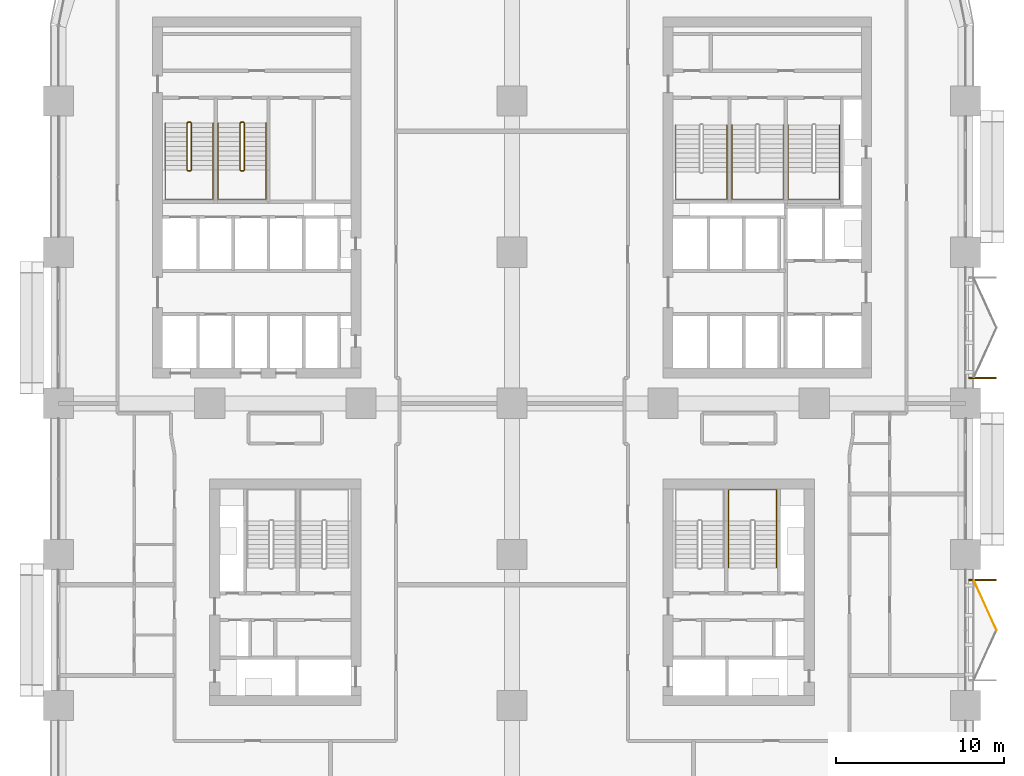
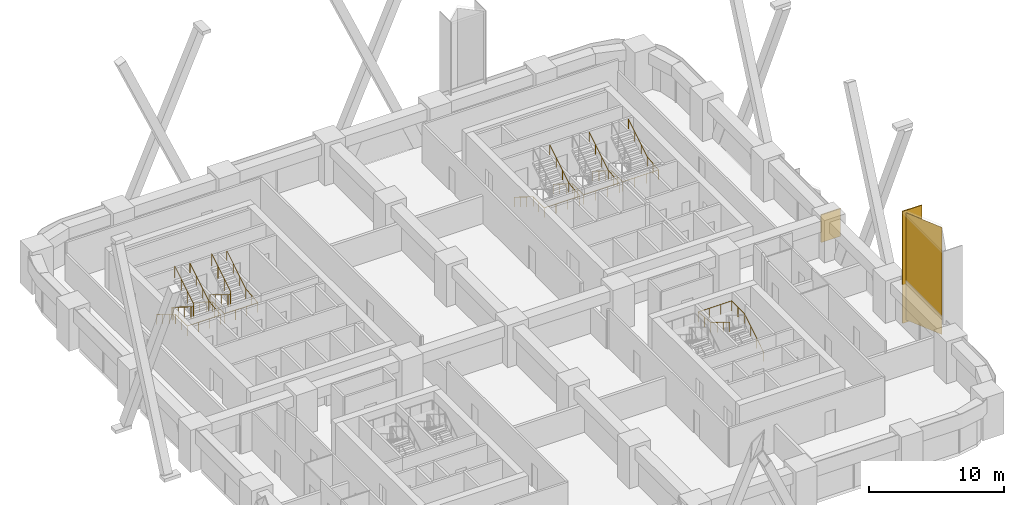
# One storey, part 23 of 24: 8 railings, 3 coverings.
"""IFC4 building model written with IfcOpenShell, lengths in metres."""

from ifc_helpers import new_model, si_unit, direction, frame, origin, origin_2d, place, context, subcontext, project, spatial, polyline, rectangle, circle, outline, extrude, material, layer, layer_set, type_object, element, save


model = new_model("IFC4")

# Units and contexts
model_context = context("Model", 3, precision=1e-05, world=origin(), true_north=direction((0.0, 1.0)))
body_context = subcontext(model_context, "Body", "Model", "MODEL_VIEW")
ifc_project = project(units=[si_unit("LENGTHUNIT", "METRE"), si_unit("AREAUNIT", "SQUARE_METRE"), si_unit("VOLUMEUNIT", "CUBIC_METRE"), si_unit("PLANEANGLEUNIT", "RADIAN"), si_unit("MASSUNIT", "GRAM", prefix="KILO")], contexts=[model_context])

# Site, building, storey
site_placement = place(None, origin())
site = spatial("IfcSite", under=ifc_project, at=site_placement, CompositionType="ELEMENT")
building_placement = place(site_placement, origin())
building = spatial("IfcBuilding", under=site, at=building_placement, Name="Tessera Arch", CompositionType="ELEMENT")
storey_placement = place(building_placement, frame((0.0, 0.0, 61.39990234375)))
storey = spatial("IfcBuildingStorey", under=building, at=storey_placement, Name="L13", CompositionType="ELEMENT", Elevation=61.39990234375)

# Railings
ifc_material_1 = material(Name="Painted steel balustrade", Category="steel")
railing_type_1 = type_object("IfcRailingType", Name="Stair guard 1100", PredefinedType="GUARDRAIL", material=ifc_material_1)
railing_1_placement = place(storey_placement, frame((7.699951171875, 43.75, 0.0)))
element("IfcRailing", 1, at=railing_1_placement, inside=storey, type_object=railing_type_1, Name="L13 S2a stair guard 1", PredefinedType="GUARDRAIL", context=body_context, shape_type="SweptSolid", body=[
    extrude(circle(Radius=0.02392578125, at=origin_2d()), frame((-0.00390625, 0.0, 1.076171875), z_axis=(1.0, 0.0, 0.0), x_axis=(0.0, 1.0, 0.0)), (0.0, 0.0, 1.0), 0.158203125),
    extrude(circle(Radius=0.02392578125, at=origin_2d()), frame((0.153076171875, 0.000732421875, 1.073486328125), z_axis=(-0.743708266585, -0.185927066646, 0.642128600905), x_axis=(0.242535625036, -0.970142500145, 0.0)), (0.0, 0.0, 1.0), 0.277099609375),
    extrude(circle(Radius=0.02392578125, at=origin_2d()), frame((-0.050048828125, -0.046630859375, 1.246826171875), z_axis=(0.0, -0.851089632645, 0.525020415988), x_axis=(1.0, 0.0, 0.0)), (0.0, 0.0, 1.0), 3.2978515625),
    extrude(circle(Radius=0.02392578125, at=origin_2d()), frame((-0.052978515625, -2.84716796875, 2.97607421875), z_axis=(0.708833529934, -0.705375805398, 0.0), x_axis=(0.705375805398, 0.708833529934, 0.0)), (0.0, 0.0, 1.0), 0.07861328125),
    extrude(circle(Radius=0.02392578125, at=origin_2d()), frame((-0.00390625, -2.89990234375, 2.97607421875), z_axis=(1.0, 0.0, 0.0), x_axis=(0.0, 1.0, 0.0)), (0.0, 0.0, 1.0), 0.158203125),
    extrude(circle(Radius=0.02392578125, at=origin_2d()), frame((0.149169921875, -2.90087890625, 2.972412109375), z_axis=(0.26715648603, 0.26715648603, 0.925880566782), x_axis=(-0.707106781187, 0.707106781187, 0.0)), (0.0, 0.0, 1.0), 0.1943359375),
    extrude(circle(Radius=0.02392578125, at=origin_2d()), frame((0.199951171875, -2.853515625, 3.146728515625), z_axis=(0.0, 0.851089632645, 0.525020415988), x_axis=(-1.0, 0.0, 0.0)), (0.0, 0.0, 1.0), 3.2978515625),
    extrude(circle(Radius=0.02099609375, at=origin_2d()), origin(), (0.0, 0.0, 1.0), 1.06396484375),
    extrude(circle(Radius=0.02099609375, at=origin_2d()), frame((0.150146484375, 0.0, 0.0)), (0.0, 0.0, 1.0), 1.06396484375),
    extrude(circle(Radius=0.02099609375, at=origin_2d()), frame((-0.050048828125, -0.050048828125, 0.1728515625)), (0.0, 0.0, 1.0), 1.06396484375),
    extrude(circle(Radius=0.02099609375, at=origin_2d()), frame((-0.050048828125, -0.9833984375, 0.74853515625)), (0.0, 0.0, 1.0), 1.06396484375),
    extrude(circle(Radius=0.02099609375, at=origin_2d()), frame((-0.050048828125, -1.916748046875, 1.324462890625)), (0.0, 0.0, 1.0), 1.06396484375),
    extrude(circle(Radius=0.02099609375, at=origin_2d()), frame((-0.050048828125, -2.85009765625, 1.900146484375)), (0.0, 0.0, 1.0), 1.06396484375),
    extrude(circle(Radius=0.02099609375, at=origin_2d()), frame((0.0, -2.89990234375, 1.900146484375)), (0.0, 0.0, 1.0), 1.06396484375),
    extrude(circle(Radius=0.02099609375, at=origin_2d()), frame((0.150146484375, -2.89990234375, 1.900146484375)), (0.0, 0.0, 1.0), 1.06396484375),
    extrude(circle(Radius=0.02099609375, at=origin_2d()), frame((0.199951171875, -2.85009765625, 2.07275390625)), (0.0, 0.0, 1.0), 1.06396484375),
    extrude(circle(Radius=0.02099609375, at=origin_2d()), frame((0.199951171875, -1.916748046875, 2.6484375)), (0.0, 0.0, 1.0), 1.06396484375),
    extrude(circle(Radius=0.02099609375, at=origin_2d()), frame((0.199951171875, -0.9833984375, 3.224365234375)), (0.0, 0.0, 1.0), 1.06396484375),
    extrude(circle(Radius=0.02099609375, at=origin_2d()), frame((0.199951171875, -0.050048828125, 3.800048828125)), (0.0, 0.0, 1.0), 1.06396484375),
])
railing_2_placement = place(storey_placement, frame((10.85009765625, 43.75, 0.0)))
element("IfcRailing", 2, at=railing_2_placement, inside=storey, type_object=railing_type_1, Name="L13 S2b stair guard 1", PredefinedType="GUARDRAIL", context=body_context, shape_type="SweptSolid", body=[
    extrude(circle(Radius=0.02392578125, at=origin_2d()), frame((-0.00390625, 0.0, 1.076171875), z_axis=(1.0, 0.0, 0.0), x_axis=(0.0, 1.0, 0.0)), (0.0, 0.0, 1.0), 0.157958984375),
    extrude(circle(Radius=0.02392578125, at=origin_2d()), frame((0.15283203125, 0.000732421875, 1.073486328125), z_axis=(-0.743302536996, -0.186052527575, 0.642561900114), x_axis=(0.242814311512, -0.970072785993, 0.0)), (0.0, 0.0, 1.0), 0.277099609375),
    extrude(circle(Radius=0.02392578125, at=origin_2d()), frame((-0.050048828125, -0.046630859375, 1.246826171875), z_axis=(0.0, -0.851089632645, 0.525020415988), x_axis=(1.0, 0.0, 0.0)), (0.0, 0.0, 1.0), 3.2978515625),
    extrude(circle(Radius=0.02392578125, at=origin_2d()), frame((-0.052978515625, -2.84716796875, 2.97607421875), z_axis=(0.708833529934, -0.705375805398, 0.0), x_axis=(0.705375805398, 0.708833529934, 0.0)), (0.0, 0.0, 1.0), 0.07861328125),
    extrude(circle(Radius=0.02392578125, at=origin_2d()), frame((-0.00390625, -2.89990234375, 2.97607421875), z_axis=(1.0, 0.0, 0.0), x_axis=(0.0, 1.0, 0.0)), (0.0, 0.0, 1.0), 0.157958984375),
    extrude(circle(Radius=0.02392578125, at=origin_2d()), frame((0.14892578125, -2.90087890625, 2.972412109375), z_axis=(0.268371968888, 0.267062837333, 0.925556009775), x_axis=(-0.705375805398, 0.708833529934, 0.0)), (0.0, 0.0, 1.0), 0.194580078125),
    extrude(circle(Radius=0.02392578125, at=origin_2d()), frame((0.199951171875, -2.853515625, 3.146728515625), z_axis=(0.0, 0.851089632645, 0.525020415988), x_axis=(-1.0, 0.0, 0.0)), (0.0, 0.0, 1.0), 3.2978515625),
    extrude(circle(Radius=0.02099609375, at=origin_2d()), origin(), (0.0, 0.0, 1.0), 1.06396484375),
    extrude(circle(Radius=0.02099609375, at=origin_2d()), frame((0.14990234375, 0.0, 0.0)), (0.0, 0.0, 1.0), 1.06396484375),
    extrude(circle(Radius=0.02099609375, at=origin_2d()), frame((-0.050048828125, -0.050048828125, 0.1728515625)), (0.0, 0.0, 1.0), 1.06396484375),
    extrude(circle(Radius=0.02099609375, at=origin_2d()), frame((-0.050048828125, -0.9833984375, 0.74853515625)), (0.0, 0.0, 1.0), 1.06396484375),
    extrude(circle(Radius=0.02099609375, at=origin_2d()), frame((-0.050048828125, -1.916748046875, 1.324462890625)), (0.0, 0.0, 1.0), 1.06396484375),
    extrude(circle(Radius=0.02099609375, at=origin_2d()), frame((-0.050048828125, -2.85009765625, 1.900146484375)), (0.0, 0.0, 1.0), 1.06396484375),
    extrude(circle(Radius=0.02099609375, at=origin_2d()), frame((0.0, -2.89990234375, 1.900146484375)), (0.0, 0.0, 1.0), 1.06396484375),
    extrude(circle(Radius=0.02099609375, at=origin_2d()), frame((0.14990234375, -2.89990234375, 1.900146484375)), (0.0, 0.0, 1.0), 1.06396484375),
    extrude(circle(Radius=0.02099609375, at=origin_2d()), frame((0.199951171875, -2.85009765625, 2.07275390625)), (0.0, 0.0, 1.0), 1.06396484375),
    extrude(circle(Radius=0.02099609375, at=origin_2d()), frame((0.199951171875, -1.916748046875, 2.6484375)), (0.0, 0.0, 1.0), 1.06396484375),
    extrude(circle(Radius=0.02099609375, at=origin_2d()), frame((0.199951171875, -0.9833984375, 3.224365234375)), (0.0, 0.0, 1.0), 1.06396484375),
    extrude(circle(Radius=0.02099609375, at=origin_2d()), frame((0.199951171875, -0.050048828125, 3.800048828125)), (0.0, 0.0, 1.0), 1.06396484375),
])
ifc_material_2 = material(Name="Painted steel handrail", Category="steel")
railing_type_2 = type_object("IfcRailingType", Name="Stair handrail 900", PredefinedType="HANDRAIL", material=ifc_material_2)
railing_3_placement = place(storey_placement, frame((36.75, 43.580078125, 0.1728515625)))
element("IfcRailing", 3, at=railing_3_placement, inside=storey, type_object=railing_type_2, Name="L13 S1a stair handrail", PredefinedType="HANDRAIL", context=body_context, shape_type="SweptSolid", body=[
    extrude(circle(Radius=0.02392578125, at=origin_2d()), frame((0.0, 0.00341796875, 0.873779296875), z_axis=(0.0, -0.851089632645, 0.525020415988), x_axis=(1.0, 0.0, 0.0)), (0.0, 0.0, 1.0), 3.2978515625),
    extrude(circle(Radius=0.02392578125, at=origin_2d()), frame((0.0, -2.796142578125, 2.60302734375), z_axis=(0.0, -1.0, 0.0), x_axis=(1.0, 0.0, 0.0)), (0.0, 0.0, 1.0), 1.63818359375),
    extrude(circle(Radius=0.02392578125, at=origin_2d()), frame((-0.00390625, -4.43017578125, 2.60302734375), z_axis=(1.0, 0.0, 0.0), x_axis=(0.0, 1.0, 0.0)), (0.0, 0.0, 1.0), 3.05810546875),
    extrude(circle(Radius=0.02392578125, at=origin_2d()), frame((3.050048828125, -4.43408203125, 2.602783203125), z_axis=(0.0, 0.994440793715, 0.105297235459), x_axis=(-1.0, 0.0, 0.0)), (0.0, 0.0, 1.0), 1.647216796875),
    extrude(circle(Radius=0.02392578125, at=origin_2d()), frame((3.050048828125, -2.803466796875, 2.773681640625), z_axis=(0.0, 0.851089632645, 0.525020415988), x_axis=(-1.0, 0.0, 0.0)), (0.0, 0.0, 1.0), 3.2978515625),
    extrude(circle(Radius=0.02099609375, at=origin_2d()), origin(), (0.0, 0.0, 1.0), 0.86376953125),
    extrude(circle(Radius=0.02099609375, at=origin_2d()), frame((0.0, -0.933349609375, 0.57568359375)), (0.0, 0.0, 1.0), 0.86376953125),
    extrude(circle(Radius=0.02099609375, at=origin_2d()), frame((0.0, -1.86669921875, 1.151611328125)), (0.0, 0.0, 1.0), 0.86376953125),
    extrude(circle(Radius=0.02099609375, at=origin_2d()), frame((0.0, -2.800048828125, 1.727294921875)), (0.0, 0.0, 1.0), 0.86376953125),
    extrude(circle(Radius=0.02099609375, at=origin_2d()), frame((0.0, -3.615234375, 1.727294921875)), (0.0, 0.0, 1.0), 0.86376953125),
    extrude(circle(Radius=0.02099609375, at=origin_2d()), frame((0.0, -4.43017578125, 1.727294921875)), (0.0, 0.0, 1.0), 0.86376953125),
    extrude(circle(Radius=0.02099609375, at=origin_2d()), frame((1.0166015625, -4.43017578125, 1.727294921875)), (0.0, 0.0, 1.0), 0.86376953125),
    extrude(circle(Radius=0.02099609375, at=origin_2d()), frame((2.033447265625, -4.43017578125, 1.727294921875)), (0.0, 0.0, 1.0), 0.86376953125),
    extrude(circle(Radius=0.02099609375, at=origin_2d()), frame((3.050048828125, -4.43017578125, 1.727294921875)), (0.0, 0.0, 1.0), 0.86376953125),
    extrude(circle(Radius=0.02099609375, at=origin_2d()), frame((3.050048828125, -3.615234375, 1.8134765625)), (0.0, 0.0, 1.0), 0.86376953125),
    extrude(circle(Radius=0.02099609375, at=origin_2d()), frame((3.050048828125, -2.800048828125, 1.89990234375)), (0.0, 0.0, 1.0), 0.86376953125),
    extrude(circle(Radius=0.02099609375, at=origin_2d()), frame((3.050048828125, -1.86669921875, 2.4755859375)), (0.0, 0.0, 1.0), 0.86376953125),
    extrude(circle(Radius=0.02099609375, at=origin_2d()), frame((3.050048828125, -0.933349609375, 3.051513671875)), (0.0, 0.0, 1.0), 0.86376953125),
    extrude(circle(Radius=0.02099609375, at=origin_2d()), frame((3.050048828125, 0.0, 3.627197265625)), (0.0, 0.0, 1.0), 0.86376953125),
])
railing_4_placement = place(storey_placement, frame((40.10009765625, 43.580078125, 0.1728515625)))
element("IfcRailing", 4, at=railing_4_placement, inside=storey, type_object=railing_type_2, Name="L13 S1b stair handrail", PredefinedType="HANDRAIL", context=body_context, shape_type="SweptSolid", body=[
    extrude(circle(Radius=0.02392578125, at=origin_2d()), frame((0.0, 0.00341796875, 0.873779296875), z_axis=(0.0, -0.851089632645, 0.525020415988), x_axis=(1.0, 0.0, 0.0)), (0.0, 0.0, 1.0), 3.2978515625),
    extrude(circle(Radius=0.02392578125, at=origin_2d()), frame((0.0, -2.796142578125, 2.60302734375), z_axis=(0.0, -1.0, 0.0), x_axis=(1.0, 0.0, 0.0)), (0.0, 0.0, 1.0), 1.63818359375),
    extrude(circle(Radius=0.02392578125, at=origin_2d()), frame((-0.00390625, -4.43017578125, 2.60302734375), z_axis=(1.0, 0.0, 0.0), x_axis=(0.0, 1.0, 0.0)), (0.0, 0.0, 1.0), 3.057861328125),
    extrude(circle(Radius=0.02392578125, at=origin_2d()), frame((3.0498046875, -4.43408203125, 2.602783203125), z_axis=(0.0, 0.994440793715, 0.105297235459), x_axis=(-1.0, 0.0, 0.0)), (0.0, 0.0, 1.0), 1.647216796875),
    extrude(circle(Radius=0.02392578125, at=origin_2d()), frame((3.0498046875, -2.803466796875, 2.773681640625), z_axis=(0.0, 0.851089632645, 0.525020415988), x_axis=(-1.0, 0.0, 0.0)), (0.0, 0.0, 1.0), 3.2978515625),
    extrude(circle(Radius=0.02099609375, at=origin_2d()), origin(), (0.0, 0.0, 1.0), 0.86376953125),
    extrude(circle(Radius=0.02099609375, at=origin_2d()), frame((0.0, -0.933349609375, 0.57568359375)), (0.0, 0.0, 1.0), 0.86376953125),
    extrude(circle(Radius=0.02099609375, at=origin_2d()), frame((0.0, -1.86669921875, 1.151611328125)), (0.0, 0.0, 1.0), 0.86376953125),
    extrude(circle(Radius=0.02099609375, at=origin_2d()), frame((0.0, -2.800048828125, 1.727294921875)), (0.0, 0.0, 1.0), 0.86376953125),
    extrude(circle(Radius=0.02099609375, at=origin_2d()), frame((0.0, -3.615234375, 1.727294921875)), (0.0, 0.0, 1.0), 0.86376953125),
    extrude(circle(Radius=0.02099609375, at=origin_2d()), frame((0.0, -4.43017578125, 1.727294921875)), (0.0, 0.0, 1.0), 0.86376953125),
    extrude(circle(Radius=0.02099609375, at=origin_2d()), frame((1.0166015625, -4.43017578125, 1.727294921875)), (0.0, 0.0, 1.0), 0.86376953125),
    extrude(circle(Radius=0.02099609375, at=origin_2d()), frame((2.033203125, -4.43017578125, 1.727294921875)), (0.0, 0.0, 1.0), 0.86376953125),
    extrude(circle(Radius=0.02099609375, at=origin_2d()), frame((3.0498046875, -4.43017578125, 1.727294921875)), (0.0, 0.0, 1.0), 0.86376953125),
    extrude(circle(Radius=0.02099609375, at=origin_2d()), frame((3.0498046875, -3.615234375, 1.8134765625)), (0.0, 0.0, 1.0), 0.86376953125),
    extrude(circle(Radius=0.02099609375, at=origin_2d()), frame((3.0498046875, -2.800048828125, 1.89990234375)), (0.0, 0.0, 1.0), 0.86376953125),
    extrude(circle(Radius=0.02099609375, at=origin_2d()), frame((3.0498046875, -1.86669921875, 2.4755859375)), (0.0, 0.0, 1.0), 0.86376953125),
    extrude(circle(Radius=0.02099609375, at=origin_2d()), frame((3.0498046875, -0.933349609375, 3.051513671875)), (0.0, 0.0, 1.0), 0.86376953125),
    extrude(circle(Radius=0.02099609375, at=origin_2d()), frame((3.0498046875, 0.0, 3.627197265625)), (0.0, 0.0, 1.0), 0.86376953125),
])
railing_5_placement = place(storey_placement, frame((43.449951171875, 43.580078125, 0.1728515625)))
element("IfcRailing", 5, at=railing_5_placement, inside=storey, type_object=railing_type_2, Name="L13 S1c stair handrail", PredefinedType="HANDRAIL", context=body_context, shape_type="SweptSolid", body=[
    extrude(circle(Radius=0.02392578125, at=origin_2d()), frame((0.0, 0.00341796875, 0.873779296875), z_axis=(0.0, -0.851089632645, 0.525020415988), x_axis=(1.0, 0.0, 0.0)), (0.0, 0.0, 1.0), 3.2978515625),
    extrude(circle(Radius=0.02392578125, at=origin_2d()), frame((0.0, -2.796142578125, 2.60302734375), z_axis=(0.0, -1.0, 0.0), x_axis=(1.0, 0.0, 0.0)), (0.0, 0.0, 1.0), 1.63818359375),
    extrude(circle(Radius=0.02392578125, at=origin_2d()), frame((-0.00390625, -4.43017578125, 2.60302734375), z_axis=(1.0, 0.0, 0.0), x_axis=(0.0, 1.0, 0.0)), (0.0, 0.0, 1.0), 3.05810546875),
    extrude(circle(Radius=0.02392578125, at=origin_2d()), frame((3.050048828125, -4.43408203125, 2.602783203125), z_axis=(0.0, 0.994440793715, 0.105297235459), x_axis=(-1.0, 0.0, 0.0)), (0.0, 0.0, 1.0), 1.647216796875),
    extrude(circle(Radius=0.02392578125, at=origin_2d()), frame((3.050048828125, -2.803466796875, 2.773681640625), z_axis=(0.0, 0.851089632645, 0.525020415988), x_axis=(-1.0, 0.0, 0.0)), (0.0, 0.0, 1.0), 3.2978515625),
    extrude(circle(Radius=0.02099609375, at=origin_2d()), origin(), (0.0, 0.0, 1.0), 0.86376953125),
    extrude(circle(Radius=0.02099609375, at=origin_2d()), frame((0.0, -0.933349609375, 0.57568359375)), (0.0, 0.0, 1.0), 0.86376953125),
    extrude(circle(Radius=0.02099609375, at=origin_2d()), frame((0.0, -1.86669921875, 1.151611328125)), (0.0, 0.0, 1.0), 0.86376953125),
    extrude(circle(Radius=0.02099609375, at=origin_2d()), frame((0.0, -2.800048828125, 1.727294921875)), (0.0, 0.0, 1.0), 0.86376953125),
    extrude(circle(Radius=0.02099609375, at=origin_2d()), frame((0.0, -3.615234375, 1.727294921875)), (0.0, 0.0, 1.0), 0.86376953125),
    extrude(circle(Radius=0.02099609375, at=origin_2d()), frame((0.0, -4.43017578125, 1.727294921875)), (0.0, 0.0, 1.0), 0.86376953125),
    extrude(circle(Radius=0.02099609375, at=origin_2d()), frame((1.0166015625, -4.43017578125, 1.727294921875)), (0.0, 0.0, 1.0), 0.86376953125),
    extrude(circle(Radius=0.02099609375, at=origin_2d()), frame((2.033447265625, -4.43017578125, 1.727294921875)), (0.0, 0.0, 1.0), 0.86376953125),
    extrude(circle(Radius=0.02099609375, at=origin_2d()), frame((3.050048828125, -4.43017578125, 1.727294921875)), (0.0, 0.0, 1.0), 0.86376953125),
    extrude(circle(Radius=0.02099609375, at=origin_2d()), frame((3.050048828125, -3.615234375, 1.8134765625)), (0.0, 0.0, 1.0), 0.86376953125),
    extrude(circle(Radius=0.02099609375, at=origin_2d()), frame((3.050048828125, -2.800048828125, 1.89990234375)), (0.0, 0.0, 1.0), 0.86376953125),
    extrude(circle(Radius=0.02099609375, at=origin_2d()), frame((3.050048828125, -1.86669921875, 2.4755859375)), (0.0, 0.0, 1.0), 0.86376953125),
    extrude(circle(Radius=0.02099609375, at=origin_2d()), frame((3.050048828125, -0.933349609375, 3.051513671875)), (0.0, 0.0, 1.0), 0.86376953125),
    extrude(circle(Radius=0.02099609375, at=origin_2d()), frame((3.050048828125, 0.0, 3.627197265625)), (0.0, 0.0, 1.0), 0.86376953125),
])
railing_6_placement = place(storey_placement, frame((6.35009765625, 43.699951171875, 0.1728515625)))
element("IfcRailing", 6, at=railing_6_placement, inside=storey, type_object=railing_type_2, Name="L13 S2a stair handrail", PredefinedType="HANDRAIL", context=body_context, shape_type="SweptSolid", body=[
    extrude(circle(Radius=0.02392578125, at=origin_2d()), frame((0.0, 0.00341796875, 0.873779296875), z_axis=(0.0, -0.851089632645, 0.525020415988), x_axis=(1.0, 0.0, 0.0)), (0.0, 0.0, 1.0), 3.2978515625),
    extrude(circle(Radius=0.02392578125, at=origin_2d()), frame((0.0, -2.796142578125, 2.60302734375), z_axis=(0.0, -1.0, 0.0), x_axis=(1.0, 0.0, 0.0)), (0.0, 0.0, 1.0), 1.758056640625),
    extrude(circle(Radius=0.02392578125, at=origin_2d()), frame((-0.00390625, -4.550048828125, 2.60302734375), z_axis=(1.0, 0.0, 0.0), x_axis=(0.0, 1.0, 0.0)), (0.0, 0.0, 1.0), 2.85791015625),
    extrude(circle(Radius=0.02392578125, at=origin_2d()), frame((2.849853515625, -4.553955078125, 2.602783203125), z_axis=(0.0, 0.995170989745, 0.098156513637), x_axis=(-1.0, 0.0, 0.0)), (0.0, 0.0, 1.0), 1.7666015625),
    extrude(circle(Radius=0.02392578125, at=origin_2d()), frame((2.849853515625, -2.803466796875, 2.773681640625), z_axis=(0.0, 0.851089632645, 0.525020415988), x_axis=(-1.0, 0.0, 0.0)), (0.0, 0.0, 1.0), 3.2978515625),
    extrude(circle(Radius=0.02099609375, at=origin_2d()), origin(), (0.0, 0.0, 1.0), 0.86376953125),
    extrude(circle(Radius=0.02099609375, at=origin_2d()), frame((0.0, -0.933349609375, 0.57568359375)), (0.0, 0.0, 1.0), 0.86376953125),
    extrude(circle(Radius=0.02099609375, at=origin_2d()), frame((0.0, -1.86669921875, 1.151611328125)), (0.0, 0.0, 1.0), 0.86376953125),
    extrude(circle(Radius=0.02099609375, at=origin_2d()), frame((0.0, -2.800048828125, 1.727294921875)), (0.0, 0.0, 1.0), 0.86376953125),
    extrude(circle(Radius=0.02099609375, at=origin_2d()), frame((0.0, -3.675048828125, 1.727294921875)), (0.0, 0.0, 1.0), 0.86376953125),
    extrude(circle(Radius=0.02099609375, at=origin_2d()), frame((0.0, -4.550048828125, 1.727294921875)), (0.0, 0.0, 1.0), 0.86376953125),
    extrude(circle(Radius=0.02099609375, at=origin_2d()), frame((0.949951171875, -4.550048828125, 1.727294921875)), (0.0, 0.0, 1.0), 0.86376953125),
    extrude(circle(Radius=0.02099609375, at=origin_2d()), frame((1.89990234375, -4.550048828125, 1.727294921875)), (0.0, 0.0, 1.0), 0.86376953125),
    extrude(circle(Radius=0.02099609375, at=origin_2d()), frame((2.849853515625, -4.550048828125, 1.727294921875)), (0.0, 0.0, 1.0), 0.86376953125),
    extrude(circle(Radius=0.02099609375, at=origin_2d()), frame((2.849853515625, -3.675048828125, 1.8134765625)), (0.0, 0.0, 1.0), 0.86376953125),
    extrude(circle(Radius=0.02099609375, at=origin_2d()), frame((2.849853515625, -2.800048828125, 1.89990234375)), (0.0, 0.0, 1.0), 0.86376953125),
    extrude(circle(Radius=0.02099609375, at=origin_2d()), frame((2.849853515625, -1.86669921875, 2.4755859375)), (0.0, 0.0, 1.0), 0.86376953125),
    extrude(circle(Radius=0.02099609375, at=origin_2d()), frame((2.849853515625, -0.933349609375, 3.051513671875)), (0.0, 0.0, 1.0), 0.86376953125),
    extrude(circle(Radius=0.02099609375, at=origin_2d()), frame((2.849853515625, 0.0, 3.627197265625)), (0.0, 0.0, 1.0), 0.86376953125),
])
railing_7_placement = place(storey_placement, frame((9.5, 43.699951171875, 0.1728515625)))
element("IfcRailing", 7, at=railing_7_placement, inside=storey, type_object=railing_type_2, Name="L13 S2b stair handrail", PredefinedType="HANDRAIL", context=body_context, shape_type="SweptSolid", body=[
    extrude(circle(Radius=0.02392578125, at=origin_2d()), frame((0.0, 0.00341796875, 0.873779296875), z_axis=(0.0, -0.851089632645, 0.525020415988), x_axis=(1.0, 0.0, 0.0)), (0.0, 0.0, 1.0), 3.2978515625),
    extrude(circle(Radius=0.02392578125, at=origin_2d()), frame((0.0, -2.796142578125, 2.60302734375), z_axis=(0.0, -1.0, 0.0), x_axis=(1.0, 0.0, 0.0)), (0.0, 0.0, 1.0), 1.758056640625),
    extrude(circle(Radius=0.02392578125, at=origin_2d()), frame((-0.00390625, -4.550048828125, 2.60302734375), z_axis=(1.0, 0.0, 0.0), x_axis=(0.0, 1.0, 0.0)), (0.0, 0.0, 1.0), 2.858154296875),
    extrude(circle(Radius=0.02392578125, at=origin_2d()), frame((2.85009765625, -4.553955078125, 2.602783203125), z_axis=(0.0, 0.995170989745, 0.098156513637), x_axis=(-1.0, 0.0, 0.0)), (0.0, 0.0, 1.0), 1.7666015625),
    extrude(circle(Radius=0.02392578125, at=origin_2d()), frame((2.85009765625, -2.803466796875, 2.773681640625), z_axis=(0.0, 0.851089632645, 0.525020415988), x_axis=(-1.0, 0.0, 0.0)), (0.0, 0.0, 1.0), 3.2978515625),
    extrude(circle(Radius=0.02099609375, at=origin_2d()), origin(), (0.0, 0.0, 1.0), 0.86376953125),
    extrude(circle(Radius=0.02099609375, at=origin_2d()), frame((0.0, -0.933349609375, 0.57568359375)), (0.0, 0.0, 1.0), 0.86376953125),
    extrude(circle(Radius=0.02099609375, at=origin_2d()), frame((0.0, -1.86669921875, 1.151611328125)), (0.0, 0.0, 1.0), 0.86376953125),
    extrude(circle(Radius=0.02099609375, at=origin_2d()), frame((0.0, -2.800048828125, 1.727294921875)), (0.0, 0.0, 1.0), 0.86376953125),
    extrude(circle(Radius=0.02099609375, at=origin_2d()), frame((0.0, -3.675048828125, 1.727294921875)), (0.0, 0.0, 1.0), 0.86376953125),
    extrude(circle(Radius=0.02099609375, at=origin_2d()), frame((0.0, -4.550048828125, 1.727294921875)), (0.0, 0.0, 1.0), 0.86376953125),
    extrude(circle(Radius=0.02099609375, at=origin_2d()), frame((0.949951171875, -4.550048828125, 1.727294921875)), (0.0, 0.0, 1.0), 0.86376953125),
    extrude(circle(Radius=0.02099609375, at=origin_2d()), frame((1.900146484375, -4.550048828125, 1.727294921875)), (0.0, 0.0, 1.0), 0.86376953125),
    extrude(circle(Radius=0.02099609375, at=origin_2d()), frame((2.85009765625, -4.550048828125, 1.727294921875)), (0.0, 0.0, 1.0), 0.86376953125),
    extrude(circle(Radius=0.02099609375, at=origin_2d()), frame((2.85009765625, -3.675048828125, 1.8134765625)), (0.0, 0.0, 1.0), 0.86376953125),
    extrude(circle(Radius=0.02099609375, at=origin_2d()), frame((2.85009765625, -2.800048828125, 1.89990234375)), (0.0, 0.0, 1.0), 0.86376953125),
    extrude(circle(Radius=0.02099609375, at=origin_2d()), frame((2.85009765625, -1.86669921875, 2.4755859375)), (0.0, 0.0, 1.0), 0.86376953125),
    extrude(circle(Radius=0.02099609375, at=origin_2d()), frame((2.85009765625, -0.933349609375, 3.051513671875)), (0.0, 0.0, 1.0), 0.86376953125),
    extrude(circle(Radius=0.02099609375, at=origin_2d()), frame((2.85009765625, 0.0, 3.627197265625)), (0.0, 0.0, 1.0), 0.86376953125),
])
railing_8_placement = place(storey_placement, frame((42.75, 17.199951171875, 0.1728515625)))
element("IfcRailing", 8, at=railing_8_placement, inside=storey, type_object=railing_type_2, Name="L13 S3b stair handrail", PredefinedType="HANDRAIL", context=body_context, shape_type="SweptSolid", body=[
    extrude(circle(Radius=0.02392578125, at=origin_2d()), frame((0.0, -0.00341796875, 0.873779296875), z_axis=(0.0, 0.851089632645, 0.525020415988), x_axis=(-1.0, 0.0, 0.0)), (0.0, 0.0, 1.0), 3.2978515625),
    extrude(circle(Radius=0.02392578125, at=origin_2d()), frame((0.0, 2.796142578125, 2.60302734375), z_axis=(0.0, 1.0, 0.0), x_axis=(-1.0, 0.0, 0.0)), (0.0, 0.0, 1.0), 1.858154296875),
    extrude(circle(Radius=0.02392578125, at=origin_2d()), frame((0.00390625, 4.650146484375, 2.60302734375), z_axis=(-1.0, 0.0, 0.0), x_axis=(0.0, -1.0, 0.0)), (0.0, 0.0, 1.0), 2.858154296875),
    extrude(circle(Radius=0.02392578125, at=origin_2d()), frame((-2.85009765625, 4.654052734375, 2.602783203125), z_axis=(0.0, -0.995676099079, 0.092892979948), x_axis=(1.0, 0.0, 0.0)), (0.0, 0.0, 1.0), 1.8662109375),
    extrude(circle(Radius=0.02392578125, at=origin_2d()), frame((-2.85009765625, 2.803466796875, 2.773681640625), z_axis=(0.0, -0.851089632645, 0.525020415988), x_axis=(1.0, 0.0, 0.0)), (0.0, 0.0, 1.0), 3.2978515625),
    extrude(circle(Radius=0.02099609375, at=origin_2d()), origin(), (0.0, 0.0, 1.0), 0.86376953125),
    extrude(circle(Radius=0.02099609375, at=origin_2d()), frame((0.0, 0.933349609375, 0.57568359375)), (0.0, 0.0, 1.0), 0.86376953125),
    extrude(circle(Radius=0.02099609375, at=origin_2d()), frame((0.0, 1.86669921875, 1.151611328125)), (0.0, 0.0, 1.0), 0.86376953125),
    extrude(circle(Radius=0.02099609375, at=origin_2d()), frame((0.0, 2.800048828125, 1.727294921875)), (0.0, 0.0, 1.0), 0.86376953125),
    extrude(circle(Radius=0.02099609375, at=origin_2d()), frame((0.0, 3.72509765625, 1.727294921875)), (0.0, 0.0, 1.0), 0.86376953125),
    extrude(circle(Radius=0.02099609375, at=origin_2d()), frame((0.0, 4.650146484375, 1.727294921875)), (0.0, 0.0, 1.0), 0.86376953125),
    extrude(circle(Radius=0.02099609375, at=origin_2d()), frame((-0.949951171875, 4.650146484375, 1.727294921875)), (0.0, 0.0, 1.0), 0.86376953125),
    extrude(circle(Radius=0.02099609375, at=origin_2d()), frame((-1.900146484375, 4.650146484375, 1.727294921875)), (0.0, 0.0, 1.0), 0.86376953125),
    extrude(circle(Radius=0.02099609375, at=origin_2d()), frame((-2.85009765625, 4.650146484375, 1.727294921875)), (0.0, 0.0, 1.0), 0.86376953125),
    extrude(circle(Radius=0.02099609375, at=origin_2d()), frame((-2.85009765625, 3.72509765625, 1.8134765625)), (0.0, 0.0, 1.0), 0.86376953125),
    extrude(circle(Radius=0.02099609375, at=origin_2d()), frame((-2.85009765625, 2.800048828125, 1.89990234375)), (0.0, 0.0, 1.0), 0.86376953125),
    extrude(circle(Radius=0.02099609375, at=origin_2d()), frame((-2.85009765625, 1.86669921875, 2.4755859375)), (0.0, 0.0, 1.0), 0.86376953125),
    extrude(circle(Radius=0.02099609375, at=origin_2d()), frame((-2.85009765625, 0.933349609375, 3.051513671875)), (0.0, 0.0, 1.0), 0.86376953125),
    extrude(circle(Radius=0.02099609375, at=origin_2d()), frame((-2.85009765625, 0.0, 3.627197265625)), (0.0, 0.0, 1.0), 0.86376953125),
])

# Coverings
ifc_material_3 = material(Name="Anodised aluminium pale metal", Category="aluminium")
ifc_layer_1 = layer(ifc_material_3, 0.080078125)
ifc_layer_set_1 = layer_set([ifc_layer_1], Name="Window box cheek")
covering_type_1 = type_object("IfcCoveringType", Name="Window box cheek", PredefinedType="CLADDING", material=ifc_layer_set_1)
covering_1_placement = place(storey_placement, origin())
element("IfcCovering", 9, at=covering_1_placement, inside=storey, type_object=covering_type_1, Name="Window box E54.0/1.0 2x3 cheek", PredefinedType="CLADDING", context=body_context, shape_type="SweptSolid", body=[
    extrude(outline(polyline([(55.85009765625, 16.449951171875), (55.85009765625, 16.530029296875), (54.199951171875, 16.530029296875), (54.199951171875, 16.449951171875), (55.85009765625, 16.449951171875)])), origin(), (0.0, 0.0, 1.0), 10.10009765625),
])
covering_2_placement = place(storey_placement, origin())
element("IfcCovering", 10, at=covering_2_placement, inside=storey, type_object=covering_type_1, Name="Window box E54.0/3.0 2x1 cheek", PredefinedType="CLADDING", context=body_context, shape_type="SweptSolid", body=[
    extrude(outline(polyline([(55.85009765625, 28.469970703125), (55.85009765625, 28.550048828125), (54.199951171875, 28.550048828125), (54.199951171875, 28.469970703125), (55.85009765625, 28.469970703125)])), origin(), (0.0, 0.0, 1.0), 2.5),
])
ifc_material_4 = material(Name="Anodised aluminium pale metal", Category="aluminium")
ifc_layer_2 = layer(ifc_material_4, 0.028076171875)
ifc_layer_set_2 = layer_set([ifc_layer_2], Name="Window box side panel")
covering_type_2 = type_object("IfcCoveringType", Name="Window box side panel", PredefinedType="CLADDING", material=ifc_layer_set_2)
covering_3_placement = place(storey_placement, frame((55.179931640625, 14.97509765625, 0.22021484375), z_axis=(0.0, 0.0, 1.0), x_axis=(0.413570397858, -0.910472144558, 0.0)))
element("IfcCovering", 11, at=covering_3_placement, inside=storey, type_object=covering_type_2, Name="Window box E54.0/1.0 2x3 side panel", PredefinedType="CLADDING", context=body_context, shape_type="SweptSolid", body=[
    extrude(rectangle(XDim=3.239990234375, YDim=0.028076171875, at=origin_2d()), origin(), (0.0, 0.0, 1.0), 9.659912109375),
])

save(model, "model.ifc")
